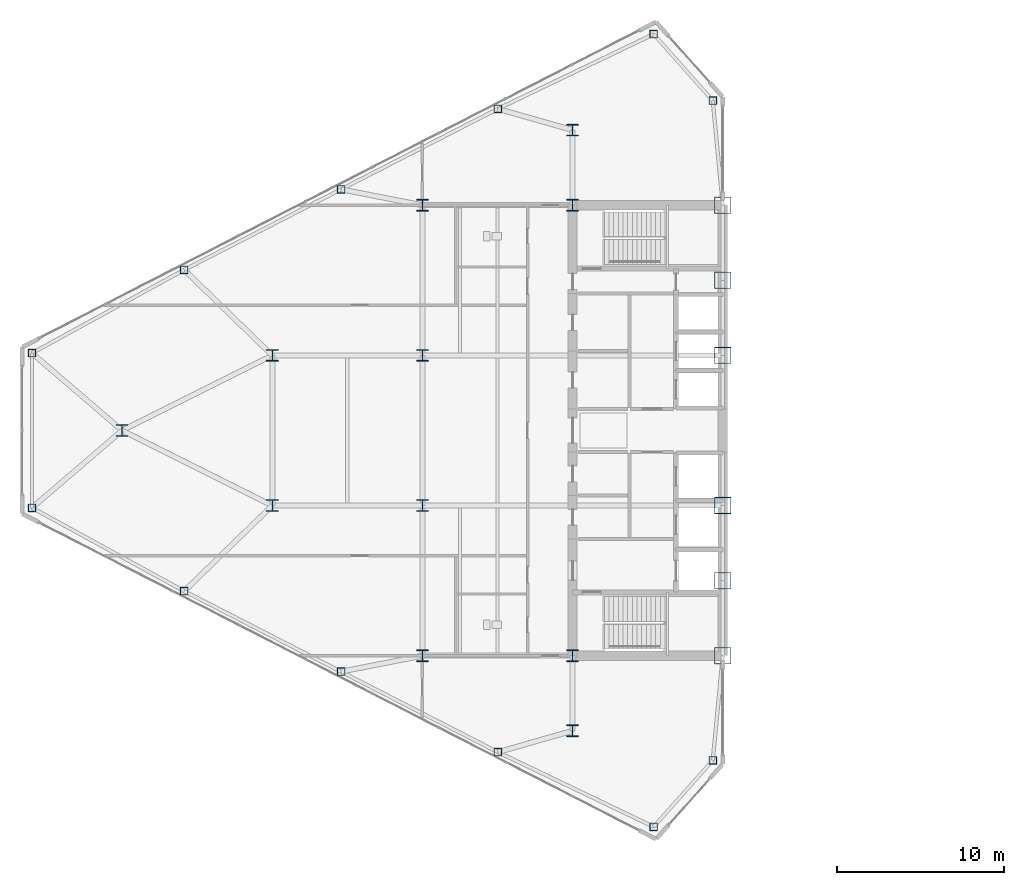
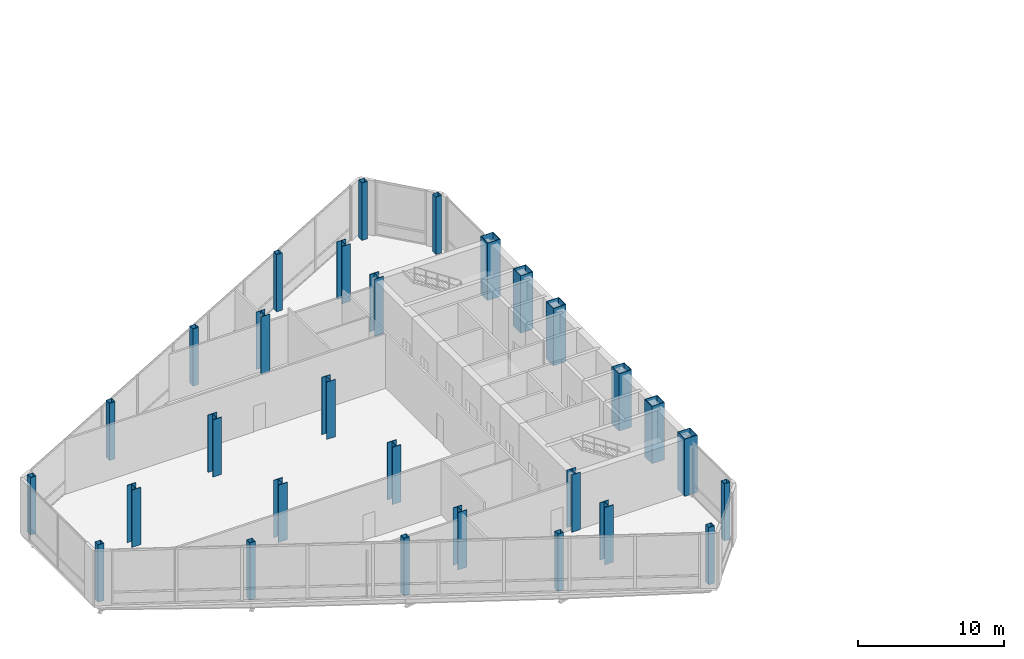
# One storey, part 1 of 22: 29 columns.
"""IFC4 building model written with IfcOpenShell, lengths in metres."""

from ifc_helpers import new_model, si_unit, direction, frame, origin, origin_2d, place, context, subcontext, project, spatial, hollow_rectangle, i_section, extrude, source, transform, mapped, material, material_profile, profile_set, type_object, type_shapes, element, save


model = new_model("IFC4")

# Units and contexts
model_context = context("Model", 3, precision=1e-05, world=origin(), true_north=direction((0.0, 1.0)))
body_context = subcontext(model_context, "Body", "Model", "MODEL_VIEW")
ifc_project = project(units=[si_unit("LENGTHUNIT", "METRE"), si_unit("AREAUNIT", "SQUARE_METRE"), si_unit("VOLUMEUNIT", "CUBIC_METRE"), si_unit("PLANEANGLEUNIT", "RADIAN"), si_unit("MASSUNIT", "GRAM", prefix="KILO")], contexts=[model_context])

# Site, building, storey
site_placement = place(None, origin())
site = spatial("IfcSite", under=ifc_project, at=site_placement, CompositionType="ELEMENT")
building_placement = place(site_placement, origin())
building = spatial("IfcBuilding", under=site, at=building_placement, Name="Seokmaru Belvedere", CompositionType="ELEMENT")
storey_placement = place(building_placement, frame((0.0, 0.0, 135.60009765625)))
storey = spatial("IfcBuildingStorey", under=building, at=storey_placement, Name="L36", CompositionType="ELEMENT", Elevation=135.60009765625)

# Columns
ifc_material_1 = material(Name="Steel HSA650 (650 MPa)", Category="steel")
ifc_material_profile_1 = material_profile(ifc_material_1, hollow_rectangle(XDim=1.0, YDim=1.0, WallThickness=0.0419921875, at=origin_2d()), Name="BOX-1000x1000x42")
ifc_profile_set_1 = profile_set([ifc_material_profile_1], Name="Steel HSA650 (650 MPa)")
column_type_1 = type_object("IfcColumnType", Name="Portal Spine Column BOX-1000", PredefinedType="COLUMN", material=ifc_profile_set_1)
shared_shape_1 = source(origin(), body_context, "Body", "SweptSolid", [
    extrude(hollow_rectangle(XDim=1.0, YDim=1.0, WallThickness=0.0419921875, at=origin_2d()), origin(), (0.0, 0.0, 1.0), 4.7998046875),
])
type_shapes(column_type_1, [shared_shape_1])
for number, where, z_axis, x_axis, name in (
    (1, (-27.5, -13.5, 0.0), (0.0, 0.0, 1.0), (1.0, 0.0, 0.0), "L36 Column WS1"),
    (2, (-27.5, -9.0, 0.0), (0.0, 0.0, 1.0), (1.0, 0.0, 0.0), "L36 Column WS2"),
    (3, (-27.5, -4.5, 0.0), (0.0, 0.0, 1.0), (1.0, 0.0, 0.0), "L36 Column WS3"),
    (4, (-27.5, 4.5, 0.0), (0.0, 0.0, 1.0), (1.0, 0.0, 0.0), "L36 Column WS4"),
    (5, (-27.5, 9.0, 0.0), (0.0, 0.0, 1.0), (1.0, 0.0, 0.0), "L36 Column WS5"),
    (6, (-27.5, 13.5, 0.0), (0.0, 0.0, 1.0), (1.0, 0.0, 0.0), "L36 Column WS6"),
):
    element("IfcColumn", number, at=place(storey_placement, frame(where, z_axis=z_axis, x_axis=x_axis)), inside=storey, type_object=column_type_1, Name=name, PredefinedType="COLUMN", context=body_context, shape_type="MappedRepresentation", body=[
        mapped(shared_shape_1, transform((0.0, 0.0, 0.0), scale=1.0)),
    ])
ifc_material_2 = material(Name="Steel SM355 (355 MPa)", Category="steel")
ifc_material_profile_2 = material_profile(ifc_material_2, i_section(OverallWidth=0.699951171875, OverallDepth=0.699951171875, WebThickness=0.028076171875, FlangeThickness=0.044921875, at=origin_2d()), Name="H-700x700x28x45")
ifc_profile_set_2 = profile_set([ifc_material_profile_2], Name="Steel SM355 (355 MPa)")
column_type_2 = type_object("IfcColumnType", Name="Mid Interior Column H-700", PredefinedType="COLUMN", material=ifc_profile_set_2)
shared_shape_2 = source(origin(), body_context, "Body", "SweptSolid", [
    extrude(i_section(OverallWidth=0.699951171875, OverallDepth=0.699951171875, WebThickness=0.028076171875, FlangeThickness=0.044921875, at=origin_2d()), origin(), (0.0, 0.0, 1.0), 4.7998046875),
])
type_shapes(column_type_2, [shared_shape_2])
for number, where, z_axis, x_axis, name in (
    (7, (-36.5, -18.0, 0.0), (0.0, 0.0, 1.0), (1.0, 0.0, 0.0), "L36 Column WC1"),
    (8, (-36.5, -13.5, 0.0), (0.0, 0.0, 1.0), (1.0, 0.0, 0.0), "L36 Column WC2"),
    (9, (-36.5, 13.5, 0.0), (0.0, 0.0, 1.0), (1.0, 0.0, 0.0), "L36 Column WC3"),
    (10, (-36.5, 18.0, 0.0), (0.0, 0.0, 1.0), (1.0, 0.0, 0.0), "L36 Column WC4"),
    (11, (-45.5, -13.5, 0.0), (0.0, 0.0, 1.0), (1.0, 0.0, 0.0), "L36 Column WG5_1"),
    (12, (-45.5, -4.5, 0.0), (0.0, 0.0, 1.0), (1.0, 0.0, 0.0), "L36 Column WG5_2"),
    (13, (-45.5, 4.5, 0.0), (0.0, 0.0, 1.0), (1.0, 0.0, 0.0), "L36 Column WG5_3"),
    (14, (-45.5, 13.5, 0.0), (0.0, 0.0, 1.0), (1.0, 0.0, 0.0), "L36 Column WG5_4"),
    (15, (-54.5, -4.5, 0.0), (0.0, 0.0, 1.0), (1.0, 0.0, 0.0), "L36 Column WG4P_1"),
    (16, (-54.5, 4.5, 0.0), (0.0, 0.0, 1.0), (1.0, 0.0, 0.0), "L36 Column WG4P_2"),
    (17, (-63.5, 0.0, 0.0), (0.0, 0.0, 1.0), (1.0, 0.0, 0.0), "L36 Column WG3P_1"),
):
    element("IfcColumn", number, at=place(storey_placement, frame(where, z_axis=z_axis, x_axis=x_axis)), inside=storey, type_object=column_type_2, Name=name, PredefinedType="COLUMN", context=body_context, shape_type="MappedRepresentation", body=[
        mapped(shared_shape_2, transform((0.0, 0.0, 0.0), scale=1.0)),
    ])
ifc_material_profile_3 = material_profile(ifc_material_2, hollow_rectangle(XDim=0.449951171875, YDim=0.449951171875, WallThickness=0.01806640625, at=origin_2d()), Name="HSS-450x450x18")
ifc_profile_set_3 = profile_set([ifc_material_profile_3], Name="Steel SM355 (355 MPa)")
column_type_3 = type_object("IfcColumnType", Name="Perimeter Facet Column HSS-450", PredefinedType="COLUMN", material=ifc_profile_set_3)
shared_shape_3 = source(origin(), body_context, "Body", "SweptSolid", [
    extrude(hollow_rectangle(XDim=0.449951171875, YDim=0.449951171875, WallThickness=0.01806640625, at=origin_2d()), origin(), (0.0, 0.0, 1.0), 4.7998046875),
])
type_shapes(column_type_3, [shared_shape_3])
for number, where, z_axis, x_axis, name in (
    (18, (-28.10009765625, -19.77197265625, 0.0), (0.0, 0.0, 1.0), (1.0, 0.0, 0.0), "L36 Column WF1"),
    (19, (-28.10009765625, 19.77197265625, 0.0), (0.0, 0.0, 1.0), (1.0, 0.0, 0.0), "L36 Column WF2"),
    (20, (-31.6396484375, 23.75390625, 0.0), (0.0, 0.0, 1.0), (1.0, 0.0, 0.0), "L36 Column WF3"),
    (21, (-68.89990234375, 4.633544921875, 0.0), (0.0, 0.0, 1.0), (1.0, 0.0, 0.0), "L36 Column WF4"),
    (22, (-68.89990234375, -4.633544921875, 0.0), (0.0, 0.0, 1.0), (1.0, 0.0, 0.0), "L36 Column WF5"),
    (23, (-31.6396484375, -23.75390625, 0.0), (0.0, 0.0, 1.0), (1.0, 0.0, 0.0), "L36 Column WF6"),
    (24, (-40.975830078125, -19.277587890625, 0.0), (0.0, 0.0, 1.0), (1.0, 0.0, 0.0), "L36 Column WFLK_S1"),
    (25, (-50.377197265625, -14.453369140625, 0.0), (0.0, 0.0, 1.0), (1.0, 0.0, 0.0), "L36 Column WFLK_S2"),
    (26, (-59.778564453125, -9.62890625, 0.0), (0.0, 0.0, 1.0), (1.0, 0.0, 0.0), "L36 Column WFLK_S3"),
    (27, (-40.975830078125, 19.277587890625, 0.0), (0.0, 0.0, 1.0), (1.0, 0.0, 0.0), "L36 Column WFLK_N1"),
    (28, (-50.377197265625, 14.453369140625, 0.0), (0.0, 0.0, 1.0), (1.0, 0.0, 0.0), "L36 Column WFLK_N2"),
    (29, (-59.778564453125, 9.62890625, 0.0), (0.0, 0.0, 1.0), (1.0, 0.0, 0.0), "L36 Column WFLK_N3"),
):
    element("IfcColumn", number, at=place(storey_placement, frame(where, z_axis=z_axis, x_axis=x_axis)), inside=storey, type_object=column_type_3, Name=name, PredefinedType="COLUMN", context=body_context, shape_type="MappedRepresentation", body=[
        mapped(shared_shape_3, transform((0.0, 0.0, 0.0), scale=1.0)),
    ])

save(model, "model.ifc")
